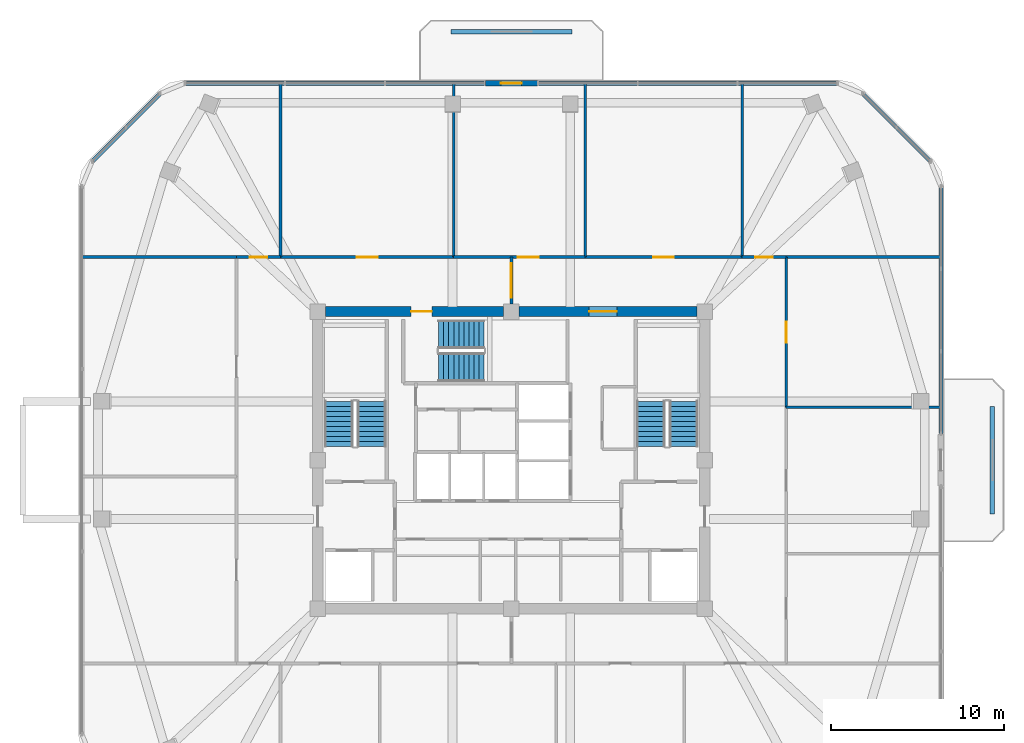
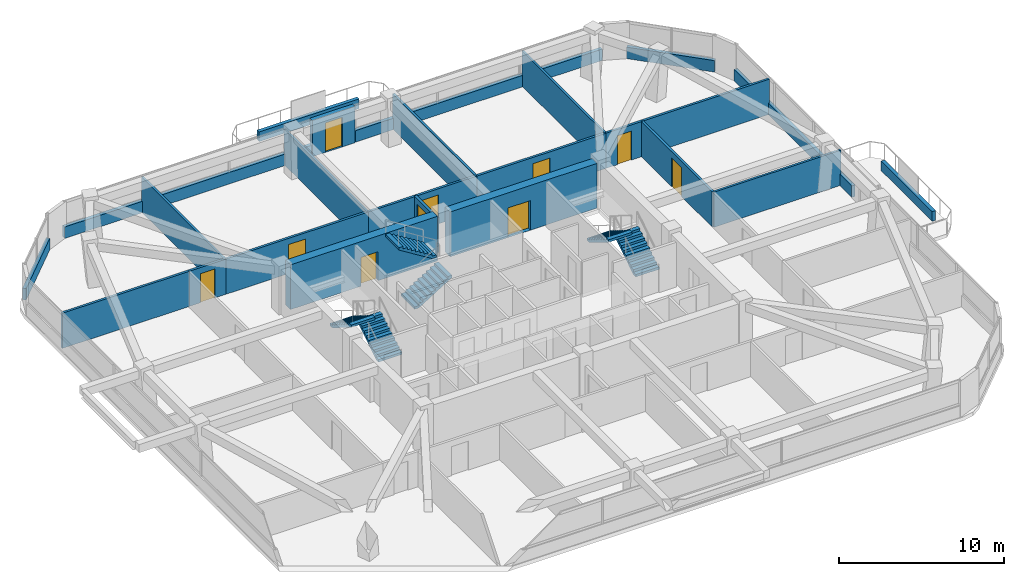
# One storey, part 11 of 13: 24 walls, 10 doors, 6 stair flights, 10 openings, 3 elements without a shape of their own.
"""IFC4 building model written with IfcOpenShell, lengths in metres."""

from ifc_helpers import new_model, si_unit, derived_unit, direction, frame, frame_2d, origin, place, context, subcontext, project, spatial, polyline, rectangle, outline, extrude, material, layer, layer_set, type_object, element, fill, aggregate, save


model = new_model("IFC4")

# Units and contexts
model_context = context("Model", 3, precision=1e-05, world=origin(), true_north=direction((0.0, 1.0)))
body_context = subcontext(model_context, "Body", "Model", "MODEL_VIEW")
ifc_project = project(units=[si_unit("LENGTHUNIT", "METRE"), si_unit("AREAUNIT", "SQUARE_METRE"), si_unit("VOLUMEUNIT", "CUBIC_METRE"), si_unit("PLANEANGLEUNIT", "RADIAN"), si_unit("MASSUNIT", "GRAM", prefix="KILO"), derived_unit("THERMALTRANSMITTANCEUNIT", [(si_unit("POWERUNIT", "WATT"), 1), (si_unit("LENGTHUNIT", "METRE"), -2), (si_unit("THERMODYNAMICTEMPERATUREUNIT", "KELVIN"), -1)])], contexts=[model_context])

# Site, building, storey
site_placement = place(None, origin())
site = spatial("IfcSite", under=ifc_project, at=site_placement, CompositionType="ELEMENT")
building_placement = place(site_placement, origin())
building = spatial("IfcBuilding", under=site, at=building_placement, Name="Koralith Skygarden Medical Center", CompositionType="ELEMENT")
storey_placement = place(building_placement, frame((0.0, 0.0, 196.3798828125)))
storey = spatial("IfcBuildingStorey", under=building, at=storey_placement, Name="L50", CompositionType="ELEMENT", Elevation=196.3798828125)

# Walls
ifc_material_1 = material(Name="Gypsum Board Partition")
ifc_layer_1 = layer(ifc_material_1, 0.14990234375)
ifc_layer_set_1 = layer_set([ifc_layer_1], Name="Gypsum Board Partition")
wall_type_1 = type_object("IfcWallType", Name="Clinical Acoustic Partition 150", PredefinedType="PARTITIONING", material=ifc_layer_set_1)
for number, where, z_axis, x_axis, name in (
    (1, (23.64990234375, 37.64990234375, 0.0), (0.0, 0.0, 1.0), (0.0, 1.0, 0.0), "L50 Clinical Acoustic Partition 150 W-PART-L50-N-01"),
    (2, (33.6669921875, 37.64990234375, 0.0), (0.0, 0.0, 1.0), (0.0, 1.0, 0.0), "L50 Clinical Acoustic Partition 150 W-PART-L50-N-02"),
    (3, (41.26611328125, 37.64990234375, 0.0), (0.0, 0.0, 1.0), (0.0, 1.0, 0.0), "L50 Clinical Acoustic Partition 150 W-PART-L50-N-03"),
    (4, (50.35009765625, 37.64990234375, 0.0), (0.0, 0.0, 1.0), (0.0, 1.0, 0.0), "L50 Clinical Acoustic Partition 150 W-PART-L50-N-04"),
):
    element("IfcWall", number, at=place(storey_placement, frame(where, z_axis=z_axis, x_axis=x_axis)), inside=storey, type_object=wall_type_1, Name=name, PredefinedType="PARTITIONING", context=body_context, shape_type="SweptSolid", body=[
        extrude(rectangle(XDim=10.0400390625, YDim=0.14990234375, at=frame_2d((5.02001953125, 0.0))), origin(), (0.0, 0.0, 1.0), 2.610107421875),
    ])
wall_1_placement = place(storey_placement, frame((52.89990234375, 28.955078125, 0.0), z_axis=(0.0, 0.0, 1.0), x_axis=(1.0, 0.0, 0.0)))
element("IfcWall", 5, at=wall_1_placement, inside=storey, type_object=wall_type_1, Name="L50 Clinical Acoustic Partition 150 W-PART-L50-E-02", PredefinedType="PARTITIONING", context=body_context, shape_type="SweptSolid", body=[
    extrude(rectangle(XDim=8.926025390625, YDim=0.14990234375, at=frame_2d((4.462890625, 0.0))), origin(), (0.0, 0.0, 1.0), 2.610107421875),
])
ifc_layer_2 = layer(ifc_material_1, 0.1650390625)
ifc_layer_set_2 = layer_set([ifc_layer_2], Name="Gypsum Board Partition")
wall_type_2 = type_object("IfcWallType", Name="Clinical Corridor Partition 165", PredefinedType="PARTITIONING", material=ifc_layer_set_2)
for number, where, z_axis, x_axis, name in (
    (6, (12.174072265625, 37.64990234375, 0.0), (0.0, 0.0, 1.0), (1.0, 0.0, 0.0), "L50 Clinical Corridor Partition 165 W-WB-L50-NW"),
    (7, (52.89990234375, 37.64990234375, 0.0), (0.0, 0.0, 1.0), (1.0, 0.0, 0.0), "L50 Clinical Corridor Partition 165 W-WB-L50-NE"),
):
    element("IfcWall", number, at=place(storey_placement, frame(where, z_axis=z_axis, x_axis=x_axis)), inside=storey, type_object=wall_type_2, Name=name, PredefinedType="PARTITIONING", context=body_context, shape_type="SweptSolid", body=[
        extrude(rectangle(XDim=8.926025390625, YDim=0.1650390625, at=frame_2d((4.462890625, 0.0))), origin(), (0.0, 0.0, 1.0), 2.610107421875),
    ])

# Wall, opening, door
wall_2_placement = place(storey_placement, frame((21.10009765625, 37.64990234375, 0.0), z_axis=(0.0, 0.0, 1.0), x_axis=(1.0, 0.0, 0.0)))
wall_2 = element("IfcWall", 8, at=wall_2_placement, inside=storey, type_object=wall_type_2, Name="L50 Clinical Corridor Partition 165 W-CORR-L50-N-01", PredefinedType="PARTITIONING", context=body_context, shape_type="SweptSolid", body=[
    extrude(rectangle(XDim=2.5498046875, YDim=0.1650390625, at=frame_2d((1.27490234375, 0.0))), origin(), (0.0, 0.0, 1.0), 2.610107421875),
])
opening_1_placement = place(wall_2_placement, frame((0.77490234375, 0.0, 0.0)))
opening_1 = element("IfcOpeningElement", 9, at=opening_1_placement, cuts=wall_2, Name="Opening D-SUP", PredefinedType="OPENING", context=body_context, shape_type="SweptSolid", body=[
    extrude(rectangle(XDim=1.0, YDim=2.14990234375, at=frame_2d((0.5, 1.074951171875))), frame((0.0, 0.092529296875, 0.0), z_axis=(0.0, -1.0, 0.0), x_axis=(1.0, 0.0, 0.0)), (0.0, 0.0, 1.0), 0.18505859375),
])
ifc_material_2 = material(Name="Aluminium 6063-T6", Category="aluminium")
door_type_1 = type_object("IfcDoorType", Name="Clinical Support Door D-SUP 1000", OperationType="NOTDEFINED", PredefinedType="DOOR", material=ifc_material_2)
door_1_placement = place(opening_1_placement, origin())
door_1 = element("IfcDoor", 10, at=door_1_placement, inside=storey, type_object=door_type_1, Name="L50 Bariatric Nutrition Teaching Pantry 01 Door", OperationType="SINGLE_SWING_RIGHT", OverallHeight=2.14990234375, OverallWidth=1.0, PredefinedType="DOOR", context=body_context, shape_type="SweptSolid", body=[
    extrude(rectangle(XDim=1.0, YDim=2.14990234375, at=frame_2d((0.5, 1.074951171875))), frame((0.0, 0.02490234375, 0.0), z_axis=(0.0, -1.0, 0.0), x_axis=(1.0, 0.0, 0.0)), (0.0, 0.0, 1.0), 0.050048828125),
])
fill(opening_1, door_1)

wall_3_placement = place(storey_placement, frame((23.64990234375, 37.64990234375, 0.0), z_axis=(0.0, 0.0, 1.0), x_axis=(1.0, 0.0, 0.0)))
wall_3 = element("IfcWall", 11, at=wall_3_placement, inside=storey, type_object=wall_type_2, Name="L50 Clinical Corridor Partition 165 W-CORR-L50-N-02", PredefinedType="PARTITIONING", context=body_context, shape_type="SweptSolid", body=[
    extrude(rectangle(XDim=10.01708984375, YDim=0.1650390625, at=frame_2d((5.008544921875, 0.0))), origin(), (0.0, 0.0, 1.0), 2.610107421875),
])
opening_2_placement = place(wall_3_placement, frame((4.408935546875, 0.0, 0.0)))
opening_2 = element("IfcOpeningElement", 12, at=opening_2_placement, cuts=wall_3, Name="Opening D-CLN", PredefinedType="OPENING", context=body_context, shape_type="SweptSolid", body=[
    extrude(rectangle(XDim=1.199951171875, YDim=2.14990234375, at=frame_2d((0.60009765625, 1.074951171875))), frame((0.0, 0.092529296875, 0.0), z_axis=(0.0, -1.0, 0.0), x_axis=(1.0, 0.0, 0.0)), (0.0, 0.0, 1.0), 0.18505859375),
])
door_type_2 = type_object("IfcDoorType", Name="Clinical Corridor Door D-CLN 1200", OperationType="NOTDEFINED", PredefinedType="DOOR", material=ifc_material_2)
door_2_placement = place(opening_2_placement, origin())
door_2 = element("IfcDoor", 13, at=door_2_placement, inside=storey, type_object=door_type_2, Name="L50 Clinical Dietetics Pantry 02 Door", OperationType="SINGLE_SWING_LEFT", OverallHeight=2.14990234375, OverallWidth=1.199951171875, PredefinedType="DOOR", context=body_context, shape_type="SweptSolid", body=[
    extrude(rectangle(XDim=1.199951171875, YDim=2.14990234375, at=frame_2d((0.60009765625, 1.074951171875))), frame((0.0, 0.02490234375, 0.0), z_axis=(0.0, -1.0, 0.0), x_axis=(1.0, 0.0, 0.0)), (0.0, 0.0, 1.0), 0.050048828125),
])
fill(opening_2, door_2)

wall_4_placement = place(storey_placement, frame((33.6669921875, 37.64990234375, 0.0), z_axis=(0.0, 0.0, 1.0), x_axis=(1.0, 0.0, 0.0)))
wall_4 = element("IfcWall", 14, at=wall_4_placement, inside=storey, type_object=wall_type_2, Name="L50 Clinical Corridor Partition 165 W-CORR-L50-N-03", PredefinedType="PARTITIONING", context=body_context, shape_type="SweptSolid", body=[
    extrude(rectangle(XDim=7.59912109375, YDim=0.1650390625, at=frame_2d((3.799560546875, 0.0))), origin(), (0.0, 0.0, 1.0), 2.610107421875),
])
opening_3_placement = place(wall_4_placement, frame((3.718994140625, 0.0, 0.0)))
opening_3 = element("IfcOpeningElement", 15, at=opening_3_placement, cuts=wall_4, Name="Opening D-CLN", PredefinedType="OPENING", context=body_context, shape_type="SweptSolid", body=[
    extrude(rectangle(XDim=1.199951171875, YDim=2.14990234375, at=frame_2d((0.60009765625, 1.074951171875))), frame((0.0, 0.092529296875, 0.0), z_axis=(0.0, -1.0, 0.0), x_axis=(1.0, 0.0, 0.0)), (0.0, 0.0, 1.0), 0.18505859375),
])
door_3_placement = place(opening_3_placement, origin())
door_3 = element("IfcDoor", 16, at=door_3_placement, inside=storey, type_object=door_type_2, Name="L50 Patient and Family Sky-Garden Day Lounge 03 Door", OperationType="SINGLE_SWING_RIGHT", OverallHeight=2.14990234375, OverallWidth=1.199951171875, PredefinedType="DOOR", context=body_context, shape_type="SweptSolid", body=[
    extrude(rectangle(XDim=1.199951171875, YDim=2.14990234375, at=frame_2d((0.60009765625, 1.074951171875))), frame((0.0, 0.02490234375, 0.0), z_axis=(0.0, -1.0, 0.0), x_axis=(1.0, 0.0, 0.0)), (0.0, 0.0, 1.0), 0.050048828125),
])
fill(opening_3, door_3)

wall_5_placement = place(storey_placement, frame((41.26611328125, 37.64990234375, 0.0), z_axis=(0.0, 0.0, 1.0), x_axis=(1.0, 0.0, 0.0)))
wall_5 = element("IfcWall", 17, at=wall_5_placement, inside=storey, type_object=wall_type_2, Name="L50 Clinical Corridor Partition 165 W-CORR-L50-N-04", PredefinedType="PARTITIONING", context=body_context, shape_type="SweptSolid", body=[
    extrude(rectangle(XDim=9.083984375, YDim=0.1650390625, at=frame_2d((4.5419921875, 0.0))), origin(), (0.0, 0.0, 1.0), 2.610107421875),
])
opening_4_placement = place(wall_5_placement, frame((3.94189453125, 0.0, 0.0)))
opening_4 = element("IfcOpeningElement", 18, at=opening_4_placement, cuts=wall_5, Name="Opening D-CLN", PredefinedType="OPENING", context=body_context, shape_type="SweptSolid", body=[
    extrude(rectangle(XDim=1.199951171875, YDim=2.14990234375, at=frame_2d((0.60009765625, 1.074951171875))), frame((0.0, 0.092529296875, 0.0), z_axis=(0.0, -1.0, 0.0), x_axis=(1.0, 0.0, 0.0)), (0.0, 0.0, 1.0), 0.18505859375),
])
door_4_placement = place(opening_4_placement, origin())
door_4 = element("IfcDoor", 19, at=door_4_placement, inside=storey, type_object=door_type_2, Name="L50 Metabolic Health Classroom 04 Door", OperationType="SINGLE_SWING_LEFT", OverallHeight=2.14990234375, OverallWidth=1.199951171875, PredefinedType="DOOR", context=body_context, shape_type="SweptSolid", body=[
    extrude(rectangle(XDim=1.199951171875, YDim=2.14990234375, at=frame_2d((0.60009765625, 1.074951171875))), frame((0.0, 0.02490234375, 0.0), z_axis=(0.0, -1.0, 0.0), x_axis=(1.0, 0.0, 0.0)), (0.0, 0.0, 1.0), 0.050048828125),
])
fill(opening_4, door_4)

wall_6_placement = place(storey_placement, frame((50.35009765625, 37.64990234375, 0.0), z_axis=(0.0, 0.0, 1.0), x_axis=(1.0, 0.0, 0.0)))
wall_6 = element("IfcWall", 20, at=wall_6_placement, inside=storey, type_object=wall_type_2, Name="L50 Clinical Corridor Partition 165 W-CORR-L50-N-05", PredefinedType="PARTITIONING", context=body_context, shape_type="SweptSolid", body=[
    extrude(rectangle(XDim=2.5498046875, YDim=0.1650390625, at=frame_2d((1.27490234375, 0.0))), origin(), (0.0, 0.0, 1.0), 2.610107421875),
])
opening_5_placement = place(wall_6_placement, frame((0.77490234375, 0.0, 0.0)))
opening_5 = element("IfcOpeningElement", 21, at=opening_5_placement, cuts=wall_6, Name="Opening D-SUP", PredefinedType="OPENING", context=body_context, shape_type="SweptSolid", body=[
    extrude(rectangle(XDim=1.0, YDim=2.14990234375, at=frame_2d((0.5, 1.074951171875))), frame((0.0, 0.092529296875, 0.0), z_axis=(0.0, -1.0, 0.0), x_axis=(1.0, 0.0, 0.0)), (0.0, 0.0, 1.0), 0.18505859375),
])
door_5_placement = place(opening_5_placement, origin())
door_5 = element("IfcDoor", 22, at=door_5_placement, inside=storey, type_object=door_type_1, Name="L50 Outpatient Education Lounge 05 Door", OperationType="SINGLE_SWING_RIGHT", OverallHeight=2.14990234375, OverallWidth=1.0, PredefinedType="DOOR", context=body_context, shape_type="SweptSolid", body=[
    extrude(rectangle(XDim=1.0, YDim=2.14990234375, at=frame_2d((0.5, 1.074951171875))), frame((0.0, 0.02490234375, 0.0), z_axis=(0.0, -1.0, 0.0), x_axis=(1.0, 0.0, 0.0)), (0.0, 0.0, 1.0), 0.050048828125),
])
fill(opening_5, door_5)

wall_7_placement = place(storey_placement, frame((52.89990234375, 28.955078125, 0.0), z_axis=(0.0, 0.0, 1.0), x_axis=(0.0, 1.0, 0.0)))
wall_7 = element("IfcWall", 23, at=wall_7_placement, inside=storey, type_object=wall_type_2, Name="L50 Clinical Corridor Partition 165 W-CORR-L50-E-03", PredefinedType="PARTITIONING", context=body_context, shape_type="SweptSolid", body=[
    extrude(rectangle(XDim=8.69482421875, YDim=0.1650390625, at=frame_2d((4.347412109375, 0.0))), origin(), (0.0, 0.0, 1.0), 2.610107421875),
])
opening_6_placement = place(wall_7_placement, frame((3.748046875, 0.0, 0.0)))
opening_6 = element("IfcOpeningElement", 24, at=opening_6_placement, cuts=wall_7, Name="Opening D-CLN", PredefinedType="OPENING", context=body_context, shape_type="SweptSolid", body=[
    extrude(rectangle(XDim=1.199951171875, YDim=2.14990234375, at=frame_2d((0.60009765625, 1.074951171875))), frame((0.0, 0.092529296875, 0.0), z_axis=(0.0, -1.0, 0.0), x_axis=(1.0, 0.0, 0.0)), (0.0, 0.0, 1.0), 0.18505859375),
])
door_6_placement = place(opening_6_placement, origin())
door_6 = element("IfcDoor", 25, at=door_6_placement, inside=storey, type_object=door_type_2, Name="L50 Bariatric Nutrition Teaching Pantry 15 Door", OperationType="SINGLE_SWING_RIGHT", OverallHeight=2.14990234375, OverallWidth=1.199951171875, PredefinedType="DOOR", context=body_context, shape_type="SweptSolid", body=[
    extrude(rectangle(XDim=1.199951171875, YDim=2.14990234375, at=frame_2d((0.60009765625, 1.074951171875))), frame((0.0, 0.02490234375, 0.0), z_axis=(0.0, -1.0, 0.0), x_axis=(1.0, 0.0, 0.0)), (0.0, 0.0, 1.0), 0.050048828125),
])
fill(opening_6, door_6)

ifc_layer_3 = layer(ifc_material_1, 0.179931640625)
ifc_layer_set_3 = layer_set([ifc_layer_3], Name="Gypsum Board Partition")
wall_type_3 = type_object("IfcWallType", Name="Group I-2 Smoke Barrier Wall 180", PredefinedType="PARTITIONING", material=ifc_layer_set_3)
wall_8_placement = place(storey_placement, frame((37.0, 34.949951171875, 0.0), z_axis=(0.0, 0.0, 1.0), x_axis=(0.0, 1.0, 0.0)))
wall_8 = element("IfcWall", 26, at=wall_8_placement, inside=storey, type_object=wall_type_3, Name="L50 Group I-2 Smoke Barrier Wall 180 W-SMK-L50-N", PredefinedType="PARTITIONING", context=body_context, shape_type="SweptSolid", body=[
    extrude(rectangle(XDim=2.699951171875, YDim=0.179931640625, at=frame_2d((1.35009765625, 0.0))), origin(), (0.0, 0.0, 1.0), 2.610107421875),
])
opening_7_placement = place(wall_8_placement, frame((0.35009765625, 0.0, 0.0)))
opening_7 = element("IfcOpeningElement", 27, at=opening_7_placement, cuts=wall_8, Name="Opening D-SMK", PredefinedType="OPENING", context=body_context, shape_type="SweptSolid", body=[
    extrude(rectangle(XDim=2.0, YDim=2.199951171875, at=frame_2d((1.0, 1.10009765625))), frame((0.0, 0.099853515625, 0.0), z_axis=(0.0, -1.0, 0.0), x_axis=(1.0, 0.0, 0.0)), (0.0, 0.0, 1.0), 0.199951171875),
])
ifc_material_3 = material(Name="Steel ASTM A500 Grade C", Category="steel")
door_type_3 = type_object("IfcDoorType", Name="Cross-Corridor Double Smoke Door FD60S 2000", OperationType="NOTDEFINED", PredefinedType="DOOR", material=ifc_material_3)
door_7_placement = place(opening_7_placement, origin())
door_7 = element("IfcDoor", 28, at=door_7_placement, inside=storey, type_object=door_type_3, Name="L50 N Smoke Compartment Cross-Corridor Door", OperationType="DOUBLE_DOOR_SINGLE_SWING", OverallHeight=2.199951171875, OverallWidth=2.0, PredefinedType="DOOR", context=body_context, shape_type="SweptSolid", body=[
    extrude(rectangle(XDim=2.0, YDim=2.199951171875, at=frame_2d((1.0, 1.10009765625))), frame((0.0, 0.02490234375, 0.0), z_axis=(0.0, -1.0, 0.0), x_axis=(1.0, 0.0, 0.0)), (0.0, 0.0, 1.0), 0.050048828125),
])
fill(opening_7, door_7)

# Walls
ifc_material_4 = material(Name="Warm Oolitic Limestone Cladding", Category="masonry")
ifc_layer_4 = layer(ifc_material_4, 0.239990234375)
ifc_layer_set_4 = layer_set([ifc_layer_4], Name="Warm Oolitic Limestone Cladding")
wall_type_4 = type_object("IfcWallType", Name="Limestone Spandrel Sill Backup Wall 240", PredefinedType="SOLIDWALL", material=ifc_layer_set_4)
wall_9_placement = place(storey_placement, frame((61.845947265625, 27.43994140625, 0.0), z_axis=(0.0, 0.0, 1.0), x_axis=(0.0, 1.0, 0.0)))
element("IfcWall", 29, at=wall_9_placement, inside=storey, type_object=wall_type_4, Name="L50 Sill Spandrel E-R", PredefinedType="SOLIDWALL", context=body_context, shape_type="SweptSolid", body=[
    extrude(rectangle(XDim=14.295166015625, YDim=0.239990234375, at=frame_2d((7.1474609375, 0.0))), origin(), (0.0, 0.0, 1.0), 0.85009765625),
])
wall_10_placement = place(storey_placement, frame((61.243896484375, 43.18603515625, 0.0), z_axis=(0.0, 0.0, 1.0), x_axis=(-0.707106781187, 0.707106781187, 0.0)))
element("IfcWall", 30, at=wall_10_placement, inside=storey, type_object=wall_type_4, Name="L50 Sill Spandrel NE", PredefinedType="SOLIDWALL", context=body_context, shape_type="SweptSolid", body=[
    extrude(rectangle(XDim=5.5478515625, YDim=0.239990234375, at=frame_2d((2.77392578125, 0.0))), origin(), (0.0, 0.0, 1.0), 0.85009765625),
])
for number, where, z_axis, x_axis, name in (
    (31, (55.8701171875, 47.7099609375, 0.0), (0.0, 0.0, 1.0), (-1.0, 0.0, 0.0), "L50 Sill Spandrel N-L"),
    (32, (35.4599609375, 47.7099609375, 0.0), (0.0, 0.0, 1.0), (-1.0, 0.0, 0.0), "L50 Sill Spandrel N-R"),
):
    element("IfcWall", number, at=place(storey_placement, frame(where, z_axis=z_axis, x_axis=x_axis)), inside=storey, type_object=wall_type_4, Name=name, PredefinedType="SOLIDWALL", context=body_context, shape_type="SweptSolid", body=[
        extrude(rectangle(XDim=17.330078125, YDim=0.239990234375, at=frame_2d((8.6650390625, 0.0))), origin(), (0.0, 0.0, 1.0), 0.85009765625),
    ])
wall_11_placement = place(storey_placement, frame((16.678955078125, 47.10888671875, 0.0), z_axis=(0.0, 0.0, 1.0), x_axis=(-0.707106781187, -0.707106781187, 0.0)))
element("IfcWall", 33, at=wall_11_placement, inside=storey, type_object=wall_type_4, Name="L50 Sill Spandrel NW", PredefinedType="SOLIDWALL", context=body_context, shape_type="SweptSolid", body=[
    extrude(rectangle(XDim=5.5478515625, YDim=0.239990234375, at=frame_2d((2.77392578125, 0.0))), origin(), (0.0, 0.0, 1.0), 0.85009765625),
])

# Wall, opening, door
ifc_layer_5 = layer(ifc_material_4, 0.300048828125)
ifc_layer_set_5 = layer_set([ifc_layer_5], Name="Warm Oolitic Limestone Cladding")
wall_type_5 = type_object("IfcWallType", Name="Oolitic Limestone Insulated Facade Wall 300", PredefinedType="SOLIDWALL", material=ifc_layer_set_5)
wall_12_placement = place(storey_placement, frame((38.5, 47.7099609375, 0.0), z_axis=(0.0, 0.0, 1.0), x_axis=(-1.0, 0.0, 0.0)))
wall_12 = element("IfcWall", 34, at=wall_12_placement, inside=storey, type_object=wall_type_5, Name="L50 Terrace Portal Wall N", PredefinedType="SOLIDWALL", context=body_context, shape_type="SweptSolid", body=[
    extrude(rectangle(XDim=3.0, YDim=0.300048828125, at=frame_2d((1.5, 0.0))), origin(), (0.0, 0.0, 1.0), 2.690185546875),
])
opening_8_placement = place(wall_12_placement, frame((0.89990234375, 0.0, 0.0)))
opening_8 = element("IfcOpeningElement", 35, at=opening_8_placement, cuts=wall_12, Name="Opening D-BAL", PredefinedType="OPENING", context=body_context, shape_type="SweptSolid", body=[
    extrude(rectangle(XDim=1.199951171875, YDim=2.199951171875, at=frame_2d((0.60009765625, 1.10009765625))), frame((0.0, 0.159912109375, 0.0), z_axis=(0.0, -1.0, 0.0), x_axis=(1.0, 0.0, 0.0)), (0.0, 0.0, 1.0), 0.320068359375),
])
door_type_4 = type_object("IfcDoorType", Name="Planted Balcony Glazed Terrace Door D-BAL 1200", OperationType="NOTDEFINED", PredefinedType="DOOR", material=ifc_material_2)
door_8_placement = place(opening_8_placement, origin())
door_8 = element("IfcDoor", 36, at=door_8_placement, inside=storey, type_object=door_type_4, Name="L50 N Outdoor Terrace Access Door", OperationType="SINGLE_SWING_LEFT", OverallHeight=2.199951171875, OverallWidth=1.199951171875, PredefinedType="DOOR", context=body_context, shape_type="SweptSolid", body=[
    extrude(rectangle(XDim=1.199951171875, YDim=2.199951171875, at=frame_2d((0.60009765625, 1.10009765625))), frame((0.0, 0.02490234375, 0.0), z_axis=(0.0, -1.0, 0.0), x_axis=(1.0, 0.0, 0.0)), (0.0, 0.0, 1.0), 0.050048828125),
])
fill(opening_8, door_8)

# Walls
ifc_material_5 = material(Name="Precast concrete C40/50", Category="concrete")
ifc_layer_6 = layer(ifc_material_5, 0.25)
ifc_layer_set_6 = layer_set([ifc_layer_6], Name="Precast concrete C40/50")
wall_type_6 = type_object("IfcWallType", Name="Structural Concrete Balcony Planter Kerb 250", PredefinedType="PARAPET", material=ifc_layer_set_6)
wall_13_placement = place(storey_placement, frame((33.5, 50.68994140625, 0.0), z_axis=(0.0, 0.0, 1.0), x_axis=(1.0, 0.0, 0.0)))
element("IfcWall", 37, at=wall_13_placement, inside=storey, type_object=wall_type_6, Name="L50 N Structural Tree PLANTER Box", PredefinedType="PARAPET", context=body_context, shape_type="SweptSolid", body=[
    extrude(rectangle(XDim=7.0, YDim=0.25, at=frame_2d((3.5, 0.0))), origin(), (0.0, 0.0, 1.0), 0.72021484375),
])
wall_14_placement = place(storey_placement, frame((64.824951171875, 22.800048828125, 0.0), z_axis=(0.0, 0.0, 1.0), x_axis=(0.0, 1.0, 0.0)))
element("IfcWall", 38, at=wall_14_placement, inside=storey, type_object=wall_type_6, Name="L50 E Structural Tree PLANTER Box", PredefinedType="PARAPET", context=body_context, shape_type="SweptSolid", body=[
    extrude(rectangle(XDim=6.199951171875, YDim=0.25, at=frame_2d((3.10009765625, 0.0))), origin(), (0.0, 0.0, 1.0), 0.72021484375),
])

# Wall, opening, door
ifc_material_6 = material(Name="Concrete C55/67", Category="concrete")
ifc_layer_7 = layer(ifc_material_6, 0.60009765625)
ifc_layer_set_7 = layer_set([ifc_layer_7], Name="Concrete C55/67")
wall_type_7 = type_object("IfcWallType", Name="Upper Core Shear Wall 600", PredefinedType="SHEAR", material=ifc_layer_set_7)
wall_15_placement = place(storey_placement, frame((47.7548828125, 34.5, 0.0), z_axis=(0.0, 0.0, 1.0), x_axis=(-1.0, 0.0, 0.0)))
wall_15 = element("IfcWall", 39, at=wall_15_placement, inside=storey, type_object=wall_type_7, Name="L50 Core Shear Wall Segment 5", PredefinedType="SHEAR", context=body_context, shape_type="SweptSolid", body=[
    extrude(rectangle(XDim=10.309814453125, YDim=0.60009765625, at=frame_2d((5.15478515625, 0.0))), origin(), (0.0, 0.0, 1.0), 3.320068359375),
])
opening_9_placement = place(wall_15_placement, frame((4.655029296875, 0.0, 0.0)))
opening_9 = element("IfcOpeningElement", 40, at=opening_9_placement, cuts=wall_15, Name="Opening D-DBL", PredefinedType="OPENING", context=body_context, shape_type="SweptSolid", body=[
    extrude(rectangle(XDim=1.60009765625, YDim=2.199951171875, at=frame_2d((0.800048828125, 1.10009765625))), frame((0.0, 0.31005859375, 0.0), z_axis=(0.0, -1.0, 0.0), x_axis=(1.0, 0.0, 0.0)), (0.0, 0.0, 1.0), 0.6201171875),
])
door_type_5 = type_object("IfcDoorType", Name="Double Clinical Suite Door D-DBL 1600", OperationType="NOTDEFINED", PredefinedType="DOOR", material=ifc_material_2)
door_9_placement = place(opening_9_placement, frame((1.60009765625, 0.0, 0.0), z_axis=(0.0, 0.0, 1.0), x_axis=(-1.0, 0.0, 0.0)))
door_9 = element("IfcDoor", 41, at=door_9_placement, inside=storey, type_object=door_type_5, Name="L50 North-East Corridor to Elevator Lobby Door", OperationType="DOUBLE_DOOR_SINGLE_SWING", OverallHeight=2.199951171875, OverallWidth=1.60009765625, PredefinedType="DOOR", context=body_context, shape_type="SweptSolid", body=[
    extrude(rectangle(XDim=1.60009765625, YDim=2.199951171875, at=frame_2d((0.800048828125, 1.10009765625))), frame((0.0, 0.02490234375, 0.0), z_axis=(0.0, -1.0, 0.0), x_axis=(1.0, 0.0, 0.0)), (0.0, 0.0, 1.0), 0.050048828125),
])
fill(opening_9, door_9)

wall_16_placement = place(storey_placement, frame((36.554931640625, 34.5, 0.0), z_axis=(0.0, 0.0, 1.0), x_axis=(-1.0, 0.0, 0.0)))
wall_16 = element("IfcWall", 42, at=wall_16_placement, inside=storey, type_object=wall_type_7, Name="L50 Core Shear Wall Segment 6", PredefinedType="SHEAR", context=body_context, shape_type="SweptSolid", body=[
    extrude(rectangle(XDim=10.309814453125, YDim=0.60009765625, at=frame_2d((5.15478515625, 0.0))), origin(), (0.0, 0.0, 1.0), 3.320068359375),
])
opening_10_placement = place(wall_16_placement, frame((4.155029296875, 0.0, 0.0)))
opening_10 = element("IfcOpeningElement", 43, at=opening_10_placement, cuts=wall_16, Name="Opening D-ST60", PredefinedType="OPENING", context=body_context, shape_type="SweptSolid", body=[
    extrude(rectangle(XDim=1.199951171875, YDim=2.14990234375, at=frame_2d((0.60009765625, 1.074951171875))), frame((0.0, 0.31005859375, 0.0), z_axis=(0.0, -1.0, 0.0), x_axis=(1.0, 0.0, 0.0)), (0.0, 0.0, 1.0), 0.6201171875),
])
door_type_6 = type_object("IfcDoorType", Name="Smokeproof Stair Fire Door FD60S 1200", OperationType="NOTDEFINED", PredefinedType="DOOR", material=ifc_material_3)
door_10_placement = place(opening_10_placement, frame((1.199951171875, 0.0, 0.0), z_axis=(0.0, 0.0, 1.0), x_axis=(-1.0, 0.0, 0.0)))
door_10 = element("IfcDoor", 44, at=door_10_placement, inside=storey, type_object=door_type_6, Name="L50 Exit Stair ST3 Fire Door", OperationType="SINGLE_SWING_LEFT", OverallHeight=2.14990234375, OverallWidth=1.199951171875, PredefinedType="DOOR", context=body_context, shape_type="SweptSolid", body=[
    extrude(rectangle(XDim=1.199951171875, YDim=2.14990234375, at=frame_2d((0.60009765625, 1.074951171875))), frame((0.0, 0.02490234375, 0.0), z_axis=(0.0, -1.0, 0.0), x_axis=(1.0, 0.0, 0.0)), (0.0, 0.0, 1.0), 0.050048828125),
])
fill(opening_10, door_10)

# Stair, stair flights
ifc_material_7 = material(Name="Concrete C45/55", Category="concrete")
stair_type = type_object("IfcStairType", Name="Core Exit Dogleg Concrete Stair", PredefinedType="HALF_TURN_STAIR", material=ifc_material_7)
stair_1_placement = place(storey_placement, origin())
stair_1 = element("IfcStair", 45, at=stair_1_placement, inside=storey, type_object=stair_type, Name="L50 Smokeproof Exit Stair ST1", PredefinedType="HALF_TURN_STAIR")
stair_flight_type = type_object("IfcStairFlightType", Name="Core Exit Concrete Stair Flight 1650", PredefinedType="STRAIGHT", material=ifc_material_7)
stair_flight_1_placement = place(storey_placement, frame((28.925048828125, 26.699951171875, 0.0), z_axis=(0.0, 0.0, 1.0), x_axis=(0.0, 1.0, 0.0)))
stair_flight_1 = element("IfcStairFlight", 46, at=stair_flight_1_placement, type_object=stair_flight_type, Name="ST1 flight 1", NumberOfRisers=10, NumberOfTreads=9, PredefinedType="STRAIGHT", RiserHeight=0.18, TreadLength=0.29, context=body_context, shape_type="SweptSolid", body=[
    extrude(outline(polyline([(0.0, 0.0), (0.0, 0.179931640625), (0.2900390625, 0.179931640625), (0.2900390625, 0.360107421875), (0.580078125, 0.360107421875), (0.580078125, 0.5400390625), (0.8701171875, 0.5400390625), (0.8701171875, 0.719970703125), (1.159912109375, 0.719970703125), (1.159912109375, 0.89990234375), (1.449951171875, 0.89990234375), (1.449951171875, 1.080078125), (1.739990234375, 1.080078125), (1.739990234375, 1.260009765625), (2.030029296875, 1.260009765625), (2.030029296875, 1.43994140625), (2.320068359375, 1.43994140625), (2.320068359375, 1.6201171875), (2.610107421875, 1.6201171875), (2.610107421875, 1.800048828125), (2.610107421875, 1.443603515625), (0.2841796875, 0.0), (0.0, 0.0)])), frame((0.0, 0.824951171875, 0.0), z_axis=(0.0, -1.0, 0.0), x_axis=(1.0, 0.0, 0.0)), (0.0, 0.0, 1.0), 1.64990234375),
])
stair_flight_2_placement = place(storey_placement, frame((27.02490234375, 29.31005859375, 1.800048828125), z_axis=(0.0, 0.0, 1.0), x_axis=(0.0, -1.0, 0.0)))
stair_flight_2 = element("IfcStairFlight", 47, at=stair_flight_2_placement, type_object=stair_flight_type, Name="ST1 flight 2", NumberOfRisers=10, NumberOfTreads=9, PredefinedType="STRAIGHT", RiserHeight=0.18, TreadLength=0.29, context=body_context, shape_type="SweptSolid", body=[
    extrude(outline(polyline([(0.0, 0.0), (0.0, 0.179931640625), (0.2900390625, 0.179931640625), (0.2900390625, 0.360107421875), (0.580078125, 0.360107421875), (0.580078125, 0.5400390625), (0.8701171875, 0.5400390625), (0.8701171875, 0.719970703125), (1.159912109375, 0.719970703125), (1.159912109375, 0.89990234375), (1.449951171875, 0.89990234375), (1.449951171875, 1.080078125), (1.739990234375, 1.080078125), (1.739990234375, 1.260009765625), (2.030029296875, 1.260009765625), (2.030029296875, 1.43994140625), (2.320068359375, 1.43994140625), (2.320068359375, 1.6201171875), (2.610107421875, 1.6201171875), (2.610107421875, 1.800048828125), (2.610107421875, 1.443603515625), (0.2841796875, 0.0), (0.0, 0.0)])), frame((0.0, 0.824951171875, 0.0), z_axis=(0.0, -1.0, 0.0), x_axis=(1.0, 0.0, 0.0)), (0.0, 0.0, 1.0), 1.64990234375),
])
aggregate(stair_1, [stair_flight_1, stair_flight_2])

stair_2_placement = place(storey_placement, origin())
stair_2 = element("IfcStair", 48, at=stair_2_placement, inside=storey, type_object=stair_type, Name="L50 Smokeproof Exit Stair ST2", PredefinedType="HALF_TURN_STAIR")
stair_flight_3_placement = place(storey_placement, frame((46.97509765625, 26.699951171875, 0.0), z_axis=(0.0, 0.0, 1.0), x_axis=(0.0, 1.0, 0.0)))
stair_flight_3 = element("IfcStairFlight", 49, at=stair_flight_3_placement, type_object=stair_flight_type, Name="ST2 flight 1", NumberOfRisers=10, NumberOfTreads=9, PredefinedType="STRAIGHT", RiserHeight=0.18, TreadLength=0.29, context=body_context, shape_type="SweptSolid", body=[
    extrude(outline(polyline([(0.0, 0.0), (0.0, 0.179931640625), (0.2900390625, 0.179931640625), (0.2900390625, 0.360107421875), (0.580078125, 0.360107421875), (0.580078125, 0.5400390625), (0.8701171875, 0.5400390625), (0.8701171875, 0.719970703125), (1.159912109375, 0.719970703125), (1.159912109375, 0.89990234375), (1.449951171875, 0.89990234375), (1.449951171875, 1.080078125), (1.739990234375, 1.080078125), (1.739990234375, 1.260009765625), (2.030029296875, 1.260009765625), (2.030029296875, 1.43994140625), (2.320068359375, 1.43994140625), (2.320068359375, 1.6201171875), (2.610107421875, 1.6201171875), (2.610107421875, 1.800048828125), (2.610107421875, 1.443603515625), (0.2841796875, 0.0), (0.0, 0.0)])), frame((0.0, 0.824951171875, 0.0), z_axis=(0.0, -1.0, 0.0), x_axis=(1.0, 0.0, 0.0)), (0.0, 0.0, 1.0), 1.64990234375),
])
stair_flight_4_placement = place(storey_placement, frame((45.074951171875, 29.31005859375, 1.800048828125), z_axis=(0.0, 0.0, 1.0), x_axis=(0.0, -1.0, 0.0)))
stair_flight_4 = element("IfcStairFlight", 50, at=stair_flight_4_placement, type_object=stair_flight_type, Name="ST2 flight 2", NumberOfRisers=10, NumberOfTreads=9, PredefinedType="STRAIGHT", RiserHeight=0.18, TreadLength=0.29, context=body_context, shape_type="SweptSolid", body=[
    extrude(outline(polyline([(0.0, 0.0), (0.0, 0.179931640625), (0.2900390625, 0.179931640625), (0.2900390625, 0.360107421875), (0.580078125, 0.360107421875), (0.580078125, 0.5400390625), (0.8701171875, 0.5400390625), (0.8701171875, 0.719970703125), (1.159912109375, 0.719970703125), (1.159912109375, 0.89990234375), (1.449951171875, 0.89990234375), (1.449951171875, 1.080078125), (1.739990234375, 1.080078125), (1.739990234375, 1.260009765625), (2.030029296875, 1.260009765625), (2.030029296875, 1.43994140625), (2.320068359375, 1.43994140625), (2.320068359375, 1.6201171875), (2.610107421875, 1.6201171875), (2.610107421875, 1.800048828125), (2.610107421875, 1.443603515625), (0.2841796875, 0.0), (0.0, 0.0)])), frame((0.0, 0.824951171875, 0.0), z_axis=(0.0, -1.0, 0.0), x_axis=(1.0, 0.0, 0.0)), (0.0, 0.0, 1.0), 1.64990234375),
])
aggregate(stair_2, [stair_flight_3, stair_flight_4])

stair_3_placement = place(storey_placement, origin())
stair_3 = element("IfcStair", 51, at=stair_3_placement, inside=storey, type_object=stair_type, Name="L50 Smokeproof Exit Stair ST3", PredefinedType="HALF_TURN_STAIR")
stair_flight_5_placement = place(storey_placement, frame((32.800048828125, 31.27490234375, 0.0), z_axis=(0.0, 0.0, 1.0), x_axis=(1.0, 0.0, 0.0)))
stair_flight_5 = element("IfcStairFlight", 52, at=stair_flight_5_placement, type_object=stair_flight_type, Name="ST3 flight 1", NumberOfRisers=10, NumberOfTreads=9, PredefinedType="STRAIGHT", RiserHeight=0.18, TreadLength=0.29, context=body_context, shape_type="SweptSolid", body=[
    extrude(outline(polyline([(0.0, 0.0), (0.0, 0.179931640625), (0.2900390625, 0.179931640625), (0.2900390625, 0.360107421875), (0.580078125, 0.360107421875), (0.580078125, 0.5400390625), (0.8701171875, 0.5400390625), (0.8701171875, 0.719970703125), (1.159912109375, 0.719970703125), (1.159912109375, 0.89990234375), (1.449951171875, 0.89990234375), (1.449951171875, 1.080078125), (1.739990234375, 1.080078125), (1.739990234375, 1.260009765625), (2.030029296875, 1.260009765625), (2.030029296875, 1.43994140625), (2.320068359375, 1.43994140625), (2.320068359375, 1.6201171875), (2.610107421875, 1.6201171875), (2.610107421875, 1.800048828125), (2.610107421875, 1.443603515625), (0.2841796875, 0.0), (0.0, 0.0)])), frame((0.0, 0.824951171875, 0.0), z_axis=(0.0, -1.0, 0.0), x_axis=(1.0, 0.0, 0.0)), (0.0, 0.0, 1.0), 1.64990234375),
])
stair_flight_6_placement = place(storey_placement, frame((35.409912109375, 33.175048828125, 1.800048828125), z_axis=(0.0, 0.0, 1.0), x_axis=(-1.0, 0.0, 0.0)))
stair_flight_6 = element("IfcStairFlight", 53, at=stair_flight_6_placement, type_object=stair_flight_type, Name="ST3 flight 2", NumberOfRisers=10, NumberOfTreads=9, PredefinedType="STRAIGHT", RiserHeight=0.18, TreadLength=0.29, context=body_context, shape_type="SweptSolid", body=[
    extrude(outline(polyline([(0.0, 0.0), (0.0, 0.179931640625), (0.2900390625, 0.179931640625), (0.2900390625, 0.360107421875), (0.580078125, 0.360107421875), (0.580078125, 0.5400390625), (0.8701171875, 0.5400390625), (0.8701171875, 0.719970703125), (1.159912109375, 0.719970703125), (1.159912109375, 0.89990234375), (1.449951171875, 0.89990234375), (1.449951171875, 1.080078125), (1.739990234375, 1.080078125), (1.739990234375, 1.260009765625), (2.030029296875, 1.260009765625), (2.030029296875, 1.43994140625), (2.320068359375, 1.43994140625), (2.320068359375, 1.6201171875), (2.610107421875, 1.6201171875), (2.610107421875, 1.800048828125), (2.610107421875, 1.443603515625), (0.2841796875, 0.0), (0.0, 0.0)])), frame((0.0, 0.824951171875, 0.0), z_axis=(0.0, -1.0, 0.0), x_axis=(1.0, 0.0, 0.0)), (0.0, 0.0, 1.0), 1.64990234375),
])
aggregate(stair_3, [stair_flight_5, stair_flight_6])

save(model, "model.ifc")
